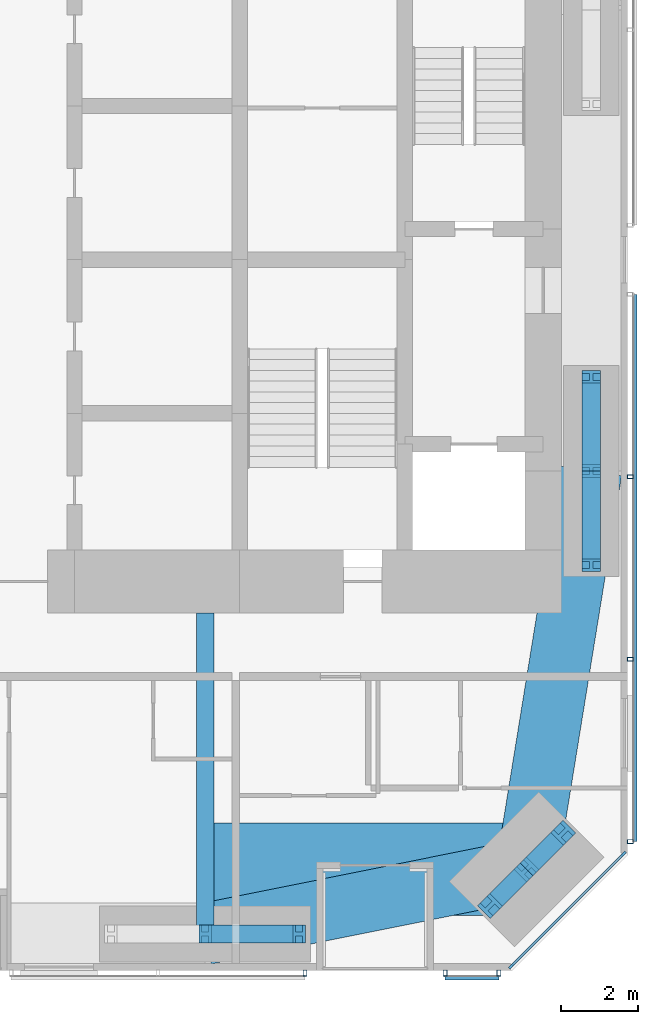
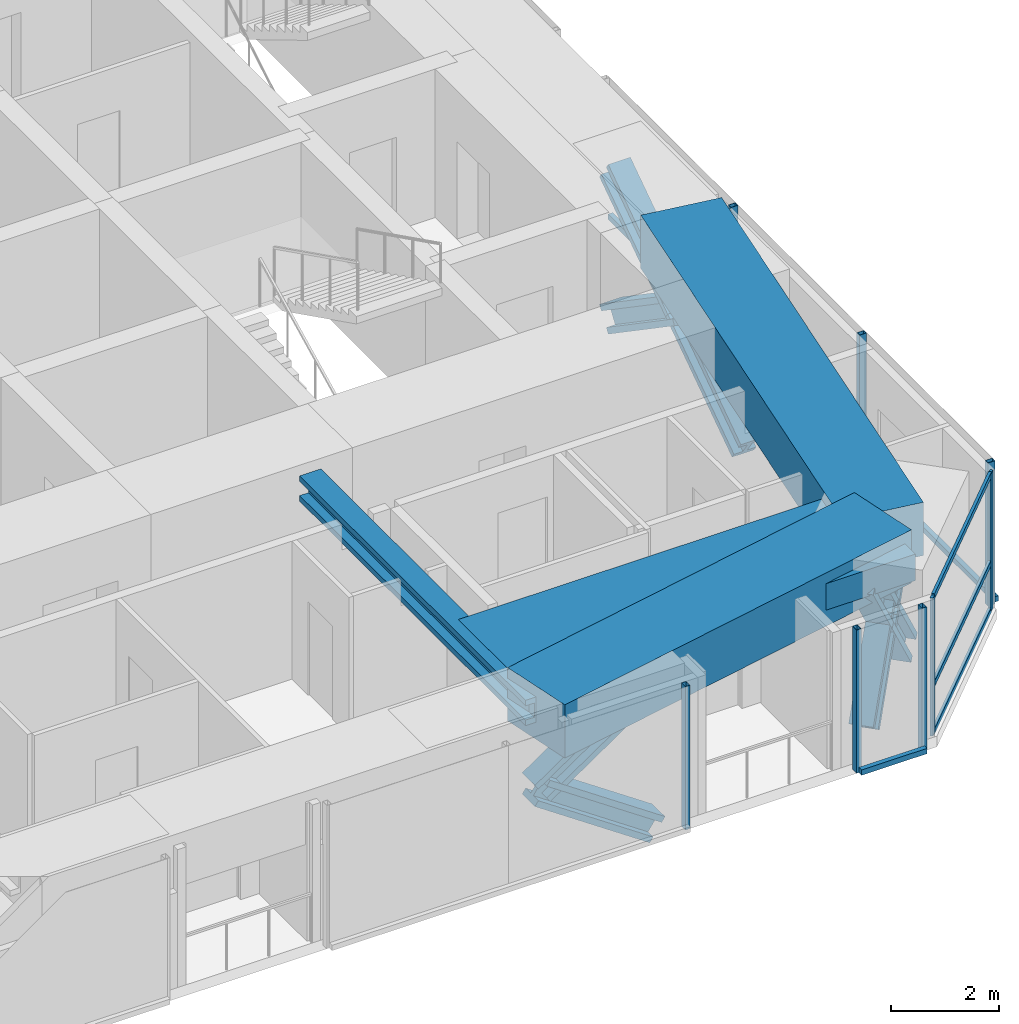
# One storey, part 9 of 24: 23 members, 4 beams, 4 elements without a shape of their own.
"""IFC4 building model written with IfcOpenShell, lengths in metres."""

from ifc_helpers import new_model, si_unit, direction, frame, origin, origin_2d, place, context, subcontext, project, spatial, rectangle, hollow_rectangle, i_section, extrude, material, material_profile, profile_set, type_object, element, aggregate, save


model = new_model("IFC4")

# Units and contexts
model_context = context("Model", 3, precision=1e-05, world=origin(), true_north=direction((0.0, 1.0)))
body_context = subcontext(model_context, "Body", "Model", "MODEL_VIEW")
ifc_project = project(units=[si_unit("LENGTHUNIT", "METRE"), si_unit("AREAUNIT", "SQUARE_METRE"), si_unit("VOLUMEUNIT", "CUBIC_METRE"), si_unit("PLANEANGLEUNIT", "RADIAN"), si_unit("MASSUNIT", "GRAM", prefix="KILO")], contexts=[model_context])

# Site, building, storey
site_placement = place(None, origin())
site = spatial("IfcSite", under=ifc_project, at=site_placement, CompositionType="ELEMENT")
building_placement = place(site_placement, origin())
building = spatial("IfcBuilding", under=site, at=building_placement, Name="Jalousie Tower", CompositionType="ELEMENT")
storey_placement = place(building_placement, frame((0.0, 0.0, 54.5)))
storey = spatial("IfcBuildingStorey", under=building, at=storey_placement, Name="L14", CompositionType="ELEMENT", Elevation=54.5)

# Curtain wall, members
ifc_material_1 = material(Name="Aluminium curtain wall", Category="aluminium")
curtain_wall_type_1 = type_object("IfcCurtainWallType", Name="CORNER WINDOW WALL", PredefinedType="USERDEFINED", material=ifc_material_1)
curtain_wall_1_placement = place(storey_placement, origin())
curtain_wall_1 = element("IfcCurtainWall", 1, at=curtain_wall_1_placement, inside=storey, type_object=curtain_wall_type_1, Name="Corner Window Wall L14 2", ObjectType="CORNER WINDOW WALL", PredefinedType="USERDEFINED")
ifc_material_2 = material(Name="Aluminium mullion", Category="aluminium")
ifc_material_profile_1 = material_profile(ifc_material_2, rectangle(XDim=0.06005859375, YDim=0.14990234375, at=origin_2d()), Name="MULLION 60x150")
ifc_profile_set_1 = profile_set([ifc_material_profile_1], Name="Aluminium mullion")
member_type_1 = type_object("IfcMemberType", Name="CORNER WINDOW WALL MULLION", PredefinedType="MULLION", material=ifc_profile_set_1)
member_1_placement = place(storey_placement, frame((42.969970703125, 0.108642578125, 0.0), z_axis=(0.0, 0.0, 1.0), x_axis=(-0.707106781187, 0.707106781187, 0.0)))
member_1 = element("IfcMember", 2, at=member_1_placement, type_object=member_type_1, Name="CW-C mullion 1", PredefinedType="MULLION", context=body_context, shape_type="SweptSolid", body=[
    extrude(rectangle(XDim=0.06005859375, YDim=0.14990234375, at=origin_2d()), origin(), (0.0, 0.0, 1.0), 3.110107421875),
])
member_2_placement = place(storey_placement, frame((45.891357421875, 3.030029296875, 0.0), z_axis=(0.0, 0.0, 1.0), x_axis=(-0.707106781187, 0.707106781187, 0.0)))
member_2 = element("IfcMember", 3, at=member_2_placement, type_object=member_type_1, Name="CW-C mullion 2", PredefinedType="MULLION", context=body_context, shape_type="SweptSolid", body=[
    extrude(rectangle(XDim=0.06005859375, YDim=0.14990234375, at=origin_2d()), origin(), (0.0, 0.0, 1.0), 3.110107421875),
])
ifc_material_3 = material(Name="Aluminium transom", Category="aluminium")
ifc_material_profile_2 = material_profile(ifc_material_3, rectangle(XDim=0.06005859375, YDim=0.1201171875, at=origin_2d()), Name="TRANSOM 60x120")
ifc_profile_set_2 = profile_set([ifc_material_profile_2], Name="Aluminium transom")
member_type_2 = type_object("IfcMemberType", Name="CORNER WINDOW WALL TRANSOM", PredefinedType="USERDEFINED", material=ifc_profile_set_2)
member_3_placement = place(storey_placement, frame((42.9912109375, 0.1298828125, 0.030029296875), z_axis=(0.707106781187, 0.707106781187, 0.0), x_axis=(-0.707106781187, 0.707106781187, 0.0)))
member_3 = element("IfcMember", 4, at=member_3_placement, type_object=member_type_2, Name="CW-C transom 1.1", ObjectType="TRANSOM", PredefinedType="USERDEFINED", context=body_context, shape_type="SweptSolid", body=[
    extrude(rectangle(XDim=0.06005859375, YDim=0.1201171875, at=origin_2d()), origin(), (0.0, 0.0, 1.0), 4.0712890625),
])
member_4_placement = place(storey_placement, frame((42.9912109375, 0.1298828125, 1.10009765625), z_axis=(0.707106781187, 0.707106781187, 0.0), x_axis=(-0.707106781187, 0.707106781187, 0.0)))
member_4 = element("IfcMember", 5, at=member_4_placement, type_object=member_type_2, Name="CW-C transom 1.2", ObjectType="TRANSOM", PredefinedType="USERDEFINED", context=body_context, shape_type="SweptSolid", body=[
    extrude(rectangle(XDim=0.06005859375, YDim=0.1201171875, at=origin_2d()), origin(), (0.0, 0.0, 1.0), 4.0712890625),
])
member_5_placement = place(storey_placement, frame((42.9912109375, 0.1298828125, 3.080078125), z_axis=(0.707106781187, 0.707106781187, 0.0), x_axis=(-0.707106781187, 0.707106781187, 0.0)))
member_5 = element("IfcMember", 6, at=member_5_placement, type_object=member_type_2, Name="CW-C transom 1.3", ObjectType="TRANSOM", PredefinedType="USERDEFINED", context=body_context, shape_type="SweptSolid", body=[
    extrude(rectangle(XDim=0.06005859375, YDim=0.1201171875, at=origin_2d()), origin(), (0.0, 0.0, 1.0), 4.0712890625),
])
aggregate(curtain_wall_1, [member_1, member_2, member_3, member_4, member_5])

# Beam
ifc_material_4 = material(Name="Steel ASTM A992 Grade 50", Category="steel")
ifc_material_profile_3 = material_profile(ifc_material_4, i_section(OverallWidth=0.45458984375, OverallDepth=0.569091796875, WebThickness=0.077880859375, FlangeThickness=0.124755859375, at=origin_2d()), Name="W14X730")
ifc_profile_set_3 = profile_set([ifc_material_profile_3], Name="Steel ASTM A992 Grade 50")
beam_type_1 = type_object("IfcBeamType", Name="LEAN COLLECTOR W14X730", PredefinedType="BEAM", material=ifc_profile_set_3)
beam_1_placement = place(storey_placement, frame((35.0, 0.949951171875, 2.825439453125), z_axis=(0.0, 1.0, 0.0), x_axis=(-1.0, 0.0, 0.0)))
element("IfcBeam", 7, at=beam_1_placement, inside=storey, type_object=beam_type_1, Name="Lean collector under L15", PredefinedType="BEAM", context=body_context, shape_type="SweptSolid", body=[
    extrude(i_section(OverallWidth=0.45458984375, OverallDepth=0.569091796875, WebThickness=0.077880859375, FlangeThickness=0.124755859375, at=origin_2d()), origin(), (0.0, 0.0, 1.0), 8.35009765625),
])

# Members
ifc_material_5 = material(Name="Steel ASTM A992 Grade 50", Category="steel")
ifc_material_profile_4 = material_profile(ifc_material_5, i_section(OverallWidth=0.472412109375, OverallDepth=0.5791015625, WebThickness=0.094970703125, FlangeThickness=0.1298828125, at=origin_2d()), Name="W14X808")
ifc_profile_set_4 = profile_set([ifc_material_profile_4], Name="Steel ASTM A992 Grade 50")
member_type_3 = type_object("IfcMemberType", Name="PERIMETER BRACE W14X808", PredefinedType="BRACE", material=ifc_profile_set_4)
for number, where, z_axis, x_axis, name in (
    (8, (35.0, 0.949951171875, 1.074951171875), (0.825500916831, 0.0, 0.564400776321), (0.0, 1.0, 0.0), "Perimeter brace 04 L14 part 2"),
    (9, (37.449951171875, 0.949951171875, -0.60009765625), (-0.825500916831, 0.0, 0.564400776321), (0.0, -1.0, 0.0), "Perimeter brace 04 L14 part 3"),
):
    element("IfcMember", number, at=place(storey_placement, frame(where, z_axis=z_axis, x_axis=x_axis)), inside=storey, type_object=member_type_3, Name=name, PredefinedType="BRACE", context=body_context, shape_type="SweptSolid", body=[
        extrude(i_section(OverallWidth=0.472412109375, OverallDepth=0.5791015625, WebThickness=0.094970703125, FlangeThickness=0.1298828125, at=origin_2d()), origin(), (0.0, 0.0, 1.0), 2.9677734375),
    ])
for number, where, z_axis, x_axis, name in (
    (10, (42.4140625, 1.6767578125, -0.60009765625), (0.443718327034, 0.443718327034, 0.778606506849), (-0.707106781187, 0.707106781187, 0.0), "Perimeter brace 05 L14 part 1"),
    (11, (43.36865234375, 2.63134765625, 1.074951171875), (0.443718327034, 0.443718327034, 0.778606506849), (-0.707106781187, 0.707106781187, 0.0), "Perimeter brace 05 L14 part 2"),
    (12, (44.3232421875, 3.5859375, -0.60009765625), (-0.443718327034, -0.443718327034, 0.778606506849), (0.707106781187, -0.707106781187, 0.0), "Perimeter brace 05 L14 part 3"),
    (13, (43.36865234375, 2.63134765625, 1.074951171875), (-0.443718327034, -0.443718327034, 0.778606506849), (0.707106781187, -0.707106781187, 0.0), "Perimeter brace 05 L14 part 4"),
):
    element("IfcMember", number, at=place(storey_placement, frame(where, z_axis=z_axis, x_axis=x_axis)), inside=storey, type_object=member_type_3, Name=name, PredefinedType="BRACE", context=body_context, shape_type="SweptSolid", body=[
        extrude(i_section(OverallWidth=0.472412109375, OverallDepth=0.5791015625, WebThickness=0.094970703125, FlangeThickness=0.1298828125, at=origin_2d()), origin(), (0.0, 0.0, 1.0), 2.1513671875),
    ])
for number, where, z_axis, x_axis, name in (
    (14, (45.050048828125, 10.550048828125, -0.60009765625), (0.0, 0.825500916831, 0.564400776321), (-1.0, 0.0, 0.0), "Perimeter brace 06 L14 part 1"),
    (15, (45.050048828125, 13.0, 1.074951171875), (0.0, 0.825500916831, 0.564400776321), (-1.0, 0.0, 0.0), "Perimeter brace 06 L14 part 2"),
    (16, (45.050048828125, 15.449951171875, -0.60009765625), (0.0, -0.825500916831, 0.564400776321), (1.0, 0.0, 0.0), "Perimeter brace 06 L14 part 3"),
    (17, (45.050048828125, 13.0, 1.074951171875), (0.0, -0.825500916831, 0.564400776321), (1.0, 0.0, 0.0), "Perimeter brace 06 L14 part 4"),
):
    element("IfcMember", number, at=place(storey_placement, frame(where, z_axis=z_axis, x_axis=x_axis)), inside=storey, type_object=member_type_3, Name=name, PredefinedType="BRACE", context=body_context, shape_type="SweptSolid", body=[
        extrude(i_section(OverallWidth=0.472412109375, OverallDepth=0.5791015625, WebThickness=0.094970703125, FlangeThickness=0.1298828125, at=origin_2d()), origin(), (0.0, 0.0, 1.0), 2.9677734375),
    ])

# Beams
ifc_material_6 = material(Name="Concrete f'c 40 MPa", Category="concrete")
ifc_material_profile_5 = material_profile(ifc_material_6, rectangle(XDim=1.60009765625, YDim=1.199951171875, at=origin_2d()), Name="RC 1600x1200")
ifc_profile_set_5 = profile_set([ifc_material_profile_5], Name="Concrete f'c 40 MPa")
beam_type_2 = type_object("IfcBeamType", Name="RC BEAM 1600x1200", PredefinedType="BEAM", material=ifc_profile_set_5)
beam_2_placement = place(storey_placement, frame((35.0, 0.949951171875, 2.75), z_axis=(0.980407585444, 0.196979609107, 0.0), x_axis=(-0.196979609107, 0.980407585444, 0.0)))
element("IfcBeam", 18, at=beam_2_placement, inside=storey, type_object=beam_type_2, Name="Edge band beam 04-05 under L15", PredefinedType="BEAM", context=body_context, shape_type="SweptSolid", body=[
    extrude(rectangle(XDim=1.60009765625, YDim=1.199951171875, at=origin_2d()), origin(), (0.0, 0.0, 1.0), 8.535888671875),
])
beam_3_placement = place(storey_placement, frame((43.36865234375, 2.63134765625, 2.75), z_axis=(0.160070546476, 0.987105577003, 0.0), x_axis=(-0.987105577003, 0.160070546476, 0.0)))
element("IfcBeam", 19, at=beam_3_placement, inside=storey, type_object=beam_type_2, Name="Edge band beam 05-06 under L15", PredefinedType="BEAM", context=body_context, shape_type="SweptSolid", body=[
    extrude(rectangle(XDim=1.60009765625, YDim=1.199951171875, at=origin_2d()), origin(), (0.0, 0.0, 1.0), 10.504150390625),
])
ifc_material_7 = material(Name="Concrete f'c 40 MPa", Category="concrete")
ifc_material_profile_6 = material_profile(ifc_material_7, rectangle(XDim=2.39990234375, YDim=0.60009765625, at=origin_2d()), Name="RC 2400x600")
ifc_profile_set_6 = profile_set([ifc_material_profile_6], Name="Concrete f'c 40 MPa")
beam_type_3 = type_object("IfcBeamType", Name="RC BEAM 2400x600", PredefinedType="BEAM", material=ifc_profile_set_6)
beam_4_placement = place(storey_placement, frame((43.36865234375, 2.63134765625, 2.81005859375), z_axis=(-1.0, 0.0, 0.0), x_axis=(0.0, -1.0, 0.0)))
element("IfcBeam", 20, at=beam_4_placement, inside=storey, type_object=beam_type_3, Name="Floor band beam under L15", PredefinedType="BEAM", context=body_context, shape_type="SweptSolid", body=[
    extrude(rectangle(XDim=2.39990234375, YDim=0.60009765625, at=origin_2d()), origin(), (0.0, 0.0, 1.0), 8.36865234375),
])

# Curtain wall, member
ifc_material_8 = material(Name="Perforated aluminium sheet", Category="aluminium")
curtain_wall_type_2 = type_object("IfcCurtainWallType", Name="SOLAR SCREEN SS-1", PredefinedType="USERDEFINED", material=ifc_material_8)
curtain_wall_2_placement = place(storey_placement, origin())
curtain_wall_2 = element("IfcCurtainWall", 21, at=curtain_wall_2_placement, inside=storey, type_object=curtain_wall_type_2, Name="Solar screen L14", ObjectType="SOLAR SCREEN SS-1", PredefinedType="USERDEFINED")
ifc_material_9 = material(Name="Steel ASTM A500 Grade C", Category="steel")
ifc_material_profile_7 = material_profile(ifc_material_9, hollow_rectangle(XDim=0.1015625, YDim=0.15234375, WallThickness=0.00634765625, at=origin_2d()), Name="HSS6X4X1/4")
ifc_profile_set_7 = profile_set([ifc_material_profile_7], Name="Steel ASTM A500 Grade C")
member_type_4 = type_object("IfcMemberType", Name="SOLAR SCREEN SS-1 MULLION", PredefinedType="MULLION", material=ifc_profile_set_7)
member_6_placement = place(storey_placement, frame((37.60009765625, -0.0712890625, -0.1201171875), z_axis=(0.0, 0.0, 1.0), x_axis=(1.0, 0.0, 0.0)))
member_6 = element("IfcMember", 22, at=member_6_placement, type_object=member_type_4, Name="SS1 post 3", PredefinedType="MULLION", context=body_context, shape_type="SweptSolid", body=[
    extrude(hollow_rectangle(XDim=0.1015625, YDim=0.15234375, WallThickness=0.00634765625, at=origin_2d()), origin(), (0.0, 0.0, 1.0), 3.230224609375),
])
aggregate(curtain_wall_2, [member_6])

# Curtain wall, members
curtain_wall_3_placement = place(storey_placement, origin())
curtain_wall_3 = element("IfcCurtainWall", 23, at=curtain_wall_3_placement, inside=storey, type_object=curtain_wall_type_2, Name="Solar screen L14", ObjectType="SOLAR SCREEN SS-1", PredefinedType="USERDEFINED")
member_7_placement = place(storey_placement, frame((41.25, -0.0712890625, -0.1201171875), z_axis=(0.0, 0.0, 1.0), x_axis=(1.0, 0.0, 0.0)))
member_7 = element("IfcMember", 24, at=member_7_placement, type_object=member_type_4, Name="SS1 post 1", PredefinedType="MULLION", context=body_context, shape_type="SweptSolid", body=[
    extrude(hollow_rectangle(XDim=0.1015625, YDim=0.15234375, WallThickness=0.00634765625, at=origin_2d()), origin(), (0.0, 0.0, 1.0), 3.230224609375),
])
member_8_placement = place(storey_placement, frame((42.648681640625, -0.0712890625, -0.1201171875), z_axis=(0.0, 0.0, 1.0), x_axis=(1.0, 0.0, 0.0)))
member_8 = element("IfcMember", 25, at=member_8_placement, type_object=member_type_4, Name="SS1 post 2", PredefinedType="MULLION", context=body_context, shape_type="SweptSolid", body=[
    extrude(hollow_rectangle(XDim=0.1015625, YDim=0.15234375, WallThickness=0.00634765625, at=origin_2d()), origin(), (0.0, 0.0, 1.0), 3.230224609375),
])

curtain_wall_4_placement = place(storey_placement, origin())
curtain_wall_4 = element("IfcCurtainWall", 26, at=curtain_wall_4_placement, inside=storey, type_object=curtain_wall_type_2, Name="Solar screen L14", ObjectType="SOLAR SCREEN SS-1", PredefinedType="USERDEFINED")
member_9_placement = place(storey_placement, frame((46.0712890625, 3.351318359375, -0.1201171875), z_axis=(0.0, 0.0, 1.0), x_axis=(0.0, 1.0, 0.0)))
member_9 = element("IfcMember", 27, at=member_9_placement, type_object=member_type_4, Name="SS1 post 1", PredefinedType="MULLION", context=body_context, shape_type="SweptSolid", body=[
    extrude(hollow_rectangle(XDim=0.1015625, YDim=0.15234375, WallThickness=0.00634765625, at=origin_2d()), origin(), (0.0, 0.0, 1.0), 3.230224609375),
])
member_10_placement = place(storey_placement, frame((46.0712890625, 8.100830078125, -0.1201171875), z_axis=(0.0, 0.0, 1.0), x_axis=(0.0, 1.0, 0.0)))
member_10 = element("IfcMember", 28, at=member_10_placement, type_object=member_type_4, Name="SS1 post 2", PredefinedType="MULLION", context=body_context, shape_type="SweptSolid", body=[
    extrude(hollow_rectangle(XDim=0.1015625, YDim=0.15234375, WallThickness=0.00634765625, at=origin_2d()), origin(), (0.0, 0.0, 1.0), 3.230224609375),
])
member_11_placement = place(storey_placement, frame((46.0712890625, 12.850341796875, -0.1201171875), z_axis=(0.0, 0.0, 1.0), x_axis=(0.0, 1.0, 0.0)))
member_11 = element("IfcMember", 29, at=member_11_placement, type_object=member_type_4, Name="SS1 post 3", PredefinedType="MULLION", context=body_context, shape_type="SweptSolid", body=[
    extrude(hollow_rectangle(XDim=0.1015625, YDim=0.15234375, WallThickness=0.00634765625, at=origin_2d()), origin(), (0.0, 0.0, 1.0), 3.230224609375),
])

# Member
ifc_material_10 = material(Name="Extruded aluminium screen rail", Category="aluminium")
ifc_material_profile_8 = material_profile(ifc_material_10, rectangle(XDim=0.1015625, YDim=0.1201171875, at=origin_2d()), Name="RAIL 102x120")
ifc_profile_set_8 = profile_set([ifc_material_profile_8], Name="Extruded aluminium screen rail")
member_type_5 = type_object("IfcMemberType", Name="SOLAR SCREEN SS-1 TRANSOM", PredefinedType="USERDEFINED", material=ifc_profile_set_8)
member_12_placement = place(storey_placement, frame((41.25, -0.1982421875, -0.06005859375), z_axis=(1.0, 0.0, 0.0), x_axis=(0.0, 1.0, 0.0)))
member_12 = element("IfcMember", 30, at=member_12_placement, type_object=member_type_5, Name="SS1 rail", ObjectType="TRANSOM", PredefinedType="USERDEFINED", context=body_context, shape_type="SweptSolid", body=[
    extrude(rectangle(XDim=0.1015625, YDim=0.1201171875, at=origin_2d()), origin(), (0.0, 0.0, 1.0), 1.398681640625),
])

aggregate(curtain_wall_3, [member_7, member_8, member_12])

member_13_placement = place(storey_placement, frame((46.1982421875, 3.351318359375, -0.06005859375), z_axis=(0.0, 1.0, 0.0), x_axis=(-1.0, 0.0, 0.0)))
member_13 = element("IfcMember", 31, at=member_13_placement, type_object=member_type_5, Name="SS1 rail", ObjectType="TRANSOM", PredefinedType="USERDEFINED", context=body_context, shape_type="SweptSolid", body=[
    extrude(rectangle(XDim=0.1015625, YDim=0.1201171875, at=origin_2d()), origin(), (0.0, 0.0, 1.0), 14.248779296875),
])

aggregate(curtain_wall_4, [member_9, member_10, member_11, member_13])

save(model, "model.ifc")
